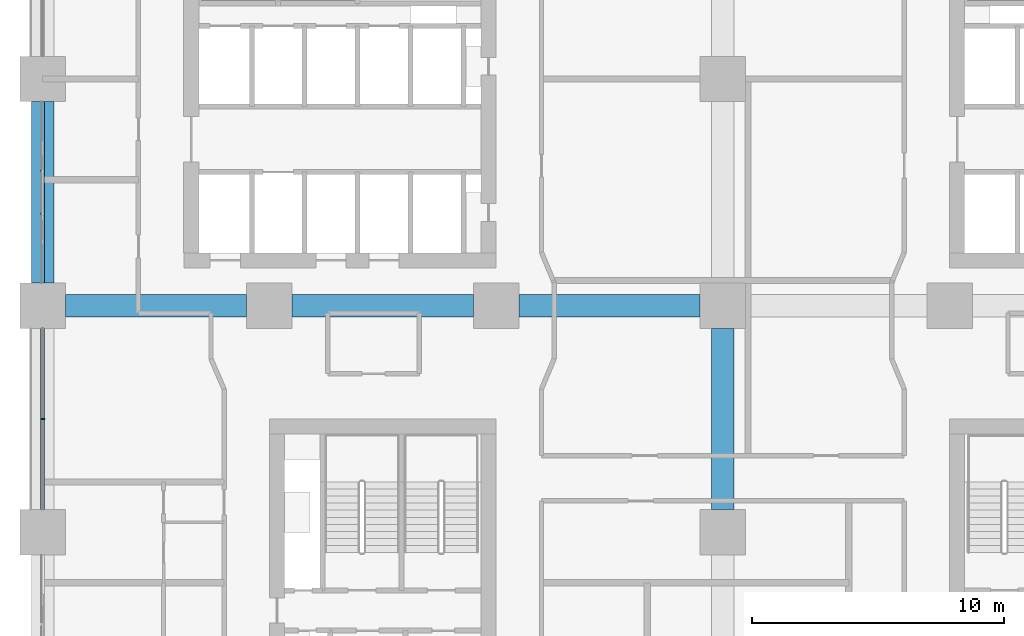
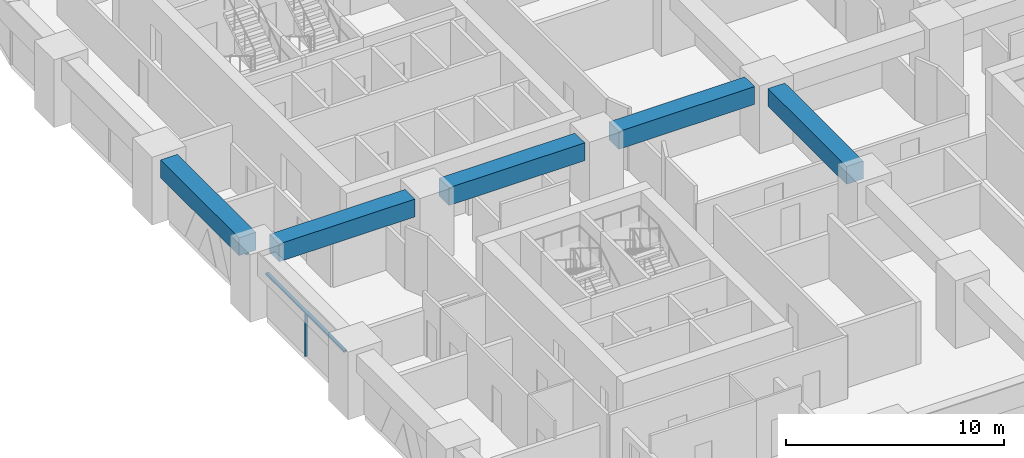
# One storey, part 4 of 23: 5 beams, 3 members, 2 elements without a shape of their own.
"""IFC4 building model written with IfcOpenShell, lengths in metres."""

from ifc_helpers import new_model, si_unit, direction, frame, origin, origin_2d, place, context, subcontext, project, spatial, rectangle, extrude, material, material_profile, profile_set, type_object, element, aggregate, save


model = new_model("IFC4")

# Units and contexts
model_context = context("Model", 3, precision=1e-05, world=origin(), true_north=direction((0.0, 1.0)))
body_context = subcontext(model_context, "Body", "Model", "MODEL_VIEW")
ifc_project = project(units=[si_unit("LENGTHUNIT", "METRE"), si_unit("AREAUNIT", "SQUARE_METRE"), si_unit("VOLUMEUNIT", "CUBIC_METRE"), si_unit("PLANEANGLEUNIT", "RADIAN"), si_unit("MASSUNIT", "GRAM", prefix="KILO")], contexts=[model_context])

# Site, building, storey
site_placement = place(None, origin())
site = spatial("IfcSite", under=ifc_project, at=site_placement, CompositionType="ELEMENT")
building_placement = place(site_placement, origin())
building = spatial("IfcBuilding", under=site, at=building_placement, Name="Tessera Arch", CompositionType="ELEMENT")
storey_placement = place(building_placement, frame((0.0, 0.0, 34.800048828125)))
storey = spatial("IfcBuildingStorey", under=building, at=storey_placement, Name="L06", CompositionType="ELEMENT", Elevation=34.800048828125)

# Curtain wall, members
ifc_material_1 = material(Name="CW1 curtain wall")
curtain_wall_type_1 = type_object("IfcCurtainWallType", Name="CW1 curtain wall", PredefinedType="NOTDEFINED", material=ifc_material_1)
curtain_wall_1_placement = place(storey_placement, origin())
curtain_wall_1 = element("IfcCurtainWall", 1, at=curtain_wall_1_placement, inside=storey, type_object=curtain_wall_type_1, Name="CW1 curtain wall W0.0/3 L06", PredefinedType="NOTDEFINED")
ifc_material_2 = material(Name="Anodised aluminium pale metal", Category="aluminium")
ifc_material_profile_1 = material_profile(ifc_material_2, rectangle(XDim=0.159912109375, YDim=0.06005859375, at=origin_2d()), Name="AL 60x160")
ifc_profile_set_1 = profile_set([ifc_material_profile_1], Name="Anodised aluminium pale metal")
member_type_1 = type_object("IfcMemberType", Name="CW1 mullion", PredefinedType="MULLION", material=ifc_profile_set_1)
member_1_placement = place(storey_placement, frame((0.0, 22.5, 0.0), z_axis=(0.0, 0.0, 1.0), x_axis=(1.0, 0.0, 0.0)))
member_1 = element("IfcMember", 2, at=member_1_placement, type_object=member_type_1, Name="CW1 mullion W0.0/3 1", PredefinedType="MULLION", context=body_context, shape_type="SweptSolid", body=[
    extrude(rectangle(XDim=0.159912109375, YDim=0.06005859375, at=origin_2d()), origin(), (0.0, 0.0, 1.0), 2.39990234375),
])
ifc_material_3 = material(Name="Anodised aluminium pale metal", Category="aluminium")
ifc_material_profile_2 = material_profile(ifc_material_3, rectangle(XDim=0.159912109375, YDim=0.10009765625, at=origin_2d()), Name="AL 160x100")
ifc_profile_set_2 = profile_set([ifc_material_profile_2], Name="Anodised aluminium pale metal")
member_type_2 = type_object("IfcMemberType", Name="CW1 transom", PredefinedType="USERDEFINED", material=ifc_profile_set_2)
member_2_placement = place(storey_placement, frame((0.0, 26.10009765625, 2.449951171875), z_axis=(0.0, -1.0, 0.0), x_axis=(1.0, 0.0, 0.0)))
member_2 = element("IfcMember", 3, at=member_2_placement, type_object=member_type_2, Name="CW1 transom W0.0/3 1.1", ObjectType="TRANSOM", PredefinedType="USERDEFINED", context=body_context, shape_type="SweptSolid", body=[
    extrude(rectangle(XDim=0.159912109375, YDim=0.10009765625, at=origin_2d()), origin(), (0.0, 0.0, 1.0), 7.2001953125),
])
aggregate(curtain_wall_1, [member_1, member_2])

# Curtain wall, member
ifc_material_4 = material(Name="CW3 curtain wall")
curtain_wall_type_2 = type_object("IfcCurtainWallType", Name="CW3 curtain wall", PredefinedType="NOTDEFINED", material=ifc_material_4)
curtain_wall_2_placement = place(storey_placement, origin())
curtain_wall_2 = element("IfcCurtainWall", 4, at=curtain_wall_2_placement, inside=storey, type_object=curtain_wall_type_2, Name="CW3 curtain wall W0.0/2 L06", PredefinedType="NOTDEFINED")
ifc_material_5 = material(Name="Anodised aluminium pale metal", Category="aluminium")
ifc_material_profile_3 = material_profile(ifc_material_5, rectangle(XDim=0.139892578125, YDim=0.10009765625, at=origin_2d()), Name="AL 140x100")
ifc_profile_set_3 = profile_set([ifc_material_profile_3], Name="Anodised aluminium pale metal")
member_type_3 = type_object("IfcMemberType", Name="CW3 transom", PredefinedType="USERDEFINED", material=ifc_profile_set_3)
member_3_placement = place(storey_placement, frame((0.0, 35.10009765625, 2.449951171875), z_axis=(0.0, -1.0, 0.0), x_axis=(1.0, 0.0, 0.0)))
member_3 = element("IfcMember", 5, at=member_3_placement, type_object=member_type_3, Name="CW3 transom W0.0/2 1.1", ObjectType="TRANSOM", PredefinedType="USERDEFINED", context=body_context, shape_type="SweptSolid", body=[
    extrude(rectangle(XDim=0.139892578125, YDim=0.10009765625, at=origin_2d()), origin(), (0.0, 0.0, 1.0), 7.2001953125),
])
aggregate(curtain_wall_2, [member_3])

# Beams
ifc_material_6 = material(Name="Concrete C80/95", Category="concrete")
ifc_material_profile_4 = material_profile(ifc_material_6, rectangle(XDim=0.89990234375, YDim=1.0, at=origin_2d()), Name="RC spandrel beam 900 x 1000 Concrete C80/95")
ifc_profile_set_4 = profile_set([ifc_material_profile_4], Name="Concrete C80/95")
beam_type = type_object("IfcBeamType", Name="RC spandrel beam 900 x 1000 Concrete C80/95", PredefinedType="BEAM", material=ifc_profile_set_4)
for number, where, z_axis, x_axis, name in (
    (6, (0.0, 35.10009765625, 3.0), (0.0, -1.0, 0.0), (1.0, 0.0, 0.0), "Spandrel beam L06 W0.0/2"),
    (7, (27.0, 18.89990234375, 3.0), (0.0, 1.0, 0.0), (-1.0, 0.0, 0.0), "Interface beam L06 I0C4C-C4D"),
    (8, (0.89990234375, 27.0, 3.0), (1.0, 0.0, 0.0), (0.0, 1.0, 0.0), "Interface beam L06 I1C1D-C2D"),
    (9, (9.89990234375, 27.0, 3.0), (1.0, 0.0, 0.0), (0.0, 1.0, 0.0), "Interface beam L06 I1C2D-C3D"),
    (10, (18.89990234375, 27.0, 3.0), (1.0, 0.0, 0.0), (0.0, 1.0, 0.0), "Interface beam L06 I1C3D-C4D"),
):
    element("IfcBeam", number, at=place(storey_placement, frame(where, z_axis=z_axis, x_axis=x_axis)), inside=storey, type_object=beam_type, Name=name, PredefinedType="BEAM", context=body_context, shape_type="SweptSolid", body=[
        extrude(rectangle(XDim=0.89990234375, YDim=1.0, at=origin_2d()), origin(), (0.0, 0.0, 1.0), 7.2001953125),
    ])

save(model, "model.ifc")
